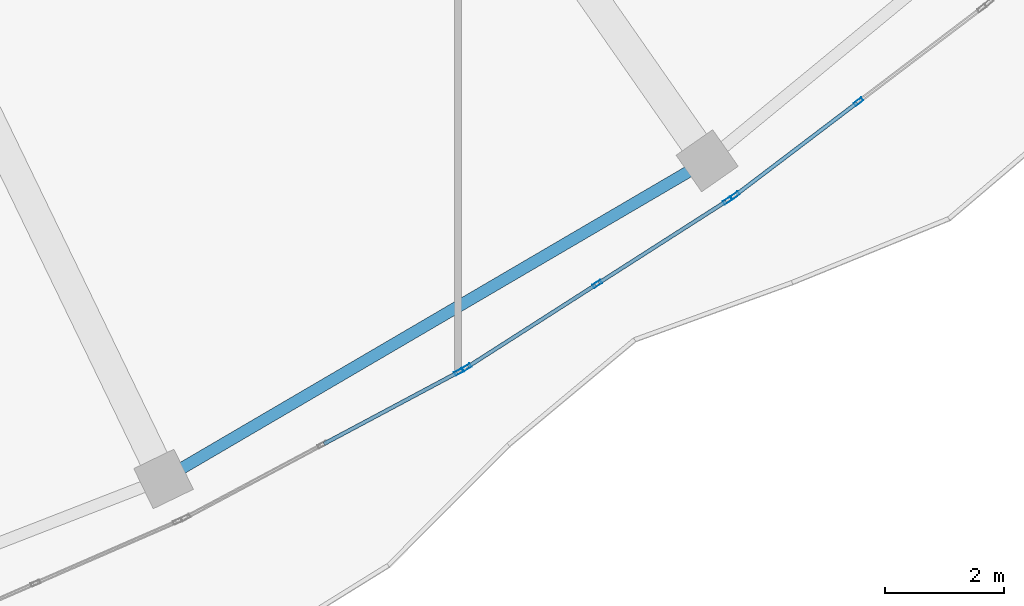
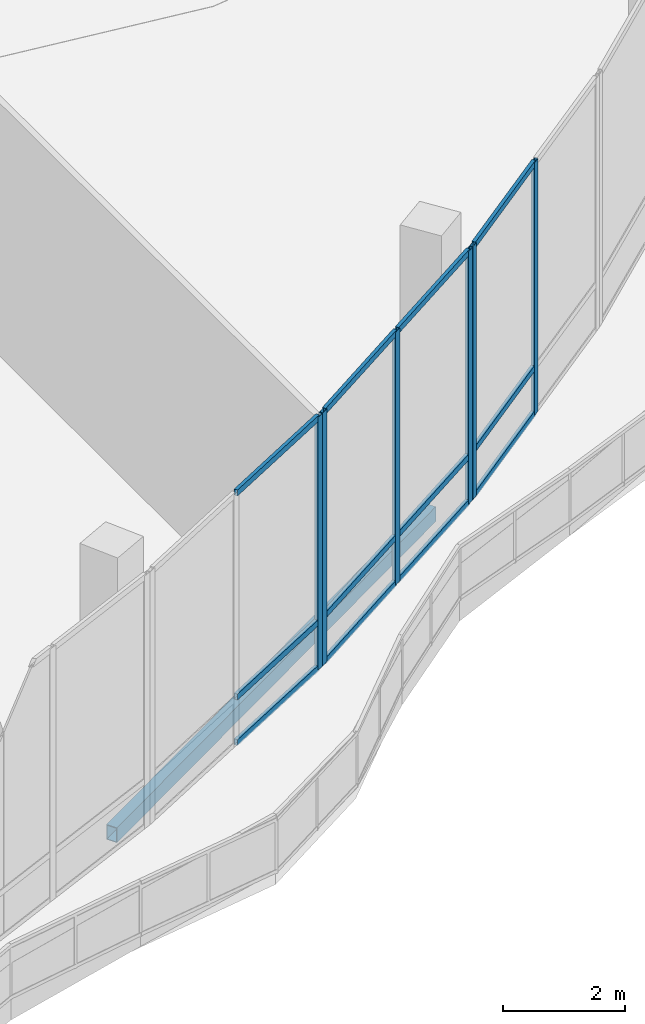
# One storey, part 46 of 158: 18 members, 1 beam, 3 elements without a shape of their own.
"""IFC4 building model written with IfcOpenShell, lengths in metres."""

from ifc_helpers import new_model, si_unit, direction, frame, origin, origin_2d, place, context, subcontext, project, spatial, hollow_rectangle, extrude, material, material_profile, profile_set, type_object, element, aggregate, save


model = new_model("IFC4")

# Units and contexts
model_context = context("Model", 3, precision=1e-05, world=origin(), true_north=direction((0.0, 1.0)))
body_context = subcontext(model_context, "Body", "Model", "MODEL_VIEW")
ifc_project = project(units=[si_unit("LENGTHUNIT", "METRE"), si_unit("AREAUNIT", "SQUARE_METRE"), si_unit("VOLUMEUNIT", "CUBIC_METRE"), si_unit("PLANEANGLEUNIT", "RADIAN"), si_unit("MASSUNIT", "GRAM", prefix="KILO")], contexts=[model_context])

# Site, building, storey
site_placement = place(None, origin())
site = spatial("IfcSite", under=ifc_project, at=site_placement, CompositionType="ELEMENT")
building_placement = place(site_placement, origin())
building = spatial("IfcBuilding", under=site, at=building_placement, Name="Selatvlak General Hospital", CompositionType="ELEMENT")
storey_placement = place(building_placement, origin())
storey = spatial("IfcBuildingStorey", under=building, at=storey_placement, Name="L00", CompositionType="ELEMENT", Elevation=0.0)

# Beam
ifc_material_1 = material(Name="Steel S355", Category="steel")
ifc_material_profile_1 = material_profile(ifc_material_1, hollow_rectangle(XDim=0.199951171875, YDim=0.300048828125, WallThickness=0.011962890625, at=origin_2d()), Name="RHS 300x200x12")
ifc_profile_set_1 = profile_set([ifc_material_profile_1], Name="Steel S355")
beam_type = type_object("IfcBeamType", Name="BM-SP3", PredefinedType="SPANDREL", material=ifc_profile_set_1)
beam_placement = place(storey_placement, frame((85.0439453125, 19.39990234375, -0.5), z_axis=(0.862997086305, 0.505208896427, 0.0), x_axis=(-0.505208896427, 0.862997086305, 0.0)))
element("IfcBeam", 1, at=beam_placement, inside=storey, type_object=beam_type, Name="Beam BMR-L00-0374", PredefinedType="SPANDREL", context=body_context, shape_type="SweptSolid", body=[
    extrude(hollow_rectangle(XDim=0.199951171875, YDim=0.300048828125, WallThickness=0.011962890625, at=origin_2d()), origin(), (0.0, 0.0, 1.0), 10.60400390625),
])

# Curtain wall, members
ifc_material_2 = material(Name="Solar-control Low-E double glazing", Category="glass")
curtain_wall_type_1 = type_object("IfcCurtainWallType", Name="CW-CW-02", PredefinedType="USERDEFINED", material=ifc_material_2)
curtain_wall_1_placement = place(storey_placement, origin())
curtain_wall_1 = element("IfcCurtainWall", 2, at=curtain_wall_1_placement, inside=storey, type_object=curtain_wall_type_1, Name="Glazed facade curtain wall CW-L00-0046", ObjectType="UNITISED CURTAIN WALL", PredefinedType="USERDEFINED")
ifc_material_3 = material(Name="Dark anodised aluminium mullion", Category="aluminium")
ifc_material_profile_2 = material_profile(ifc_material_3, hollow_rectangle(XDim=0.06494140625, YDim=0.159912109375, WallThickness=0.00390625, at=origin_2d()), Name="AL-MUL 65x160x4")
ifc_profile_set_2 = profile_set([ifc_material_profile_2], Name="Dark anodised aluminium mullion")
member_type_1 = type_object("IfcMemberType", Name="CWM-01", PredefinedType="MULLION", material=ifc_profile_set_2)
member_1_placement = place(storey_placement, frame((96.742919921875, 25.75048828125, 0.0), z_axis=(0.0, 0.0, 1.0), x_axis=(0.60458927489, -0.796537386874, 0.0)))
member_1 = element("IfcMember", 3, at=member_1_placement, type_object=member_type_1, Name="CW-02 mullion 2", PredefinedType="MULLION", context=body_context, shape_type="SweptSolid", body=[
    extrude(hollow_rectangle(XDim=0.06494140625, YDim=0.159912109375, WallThickness=0.00390625, at=origin_2d()), origin(), (0.0, 0.0, 1.0), 5.080078125),
])
member_2_placement = place(storey_placement, frame((94.662841796875, 24.171630859375, 0.0), z_axis=(0.0, 0.0, 1.0), x_axis=(0.60458927489, -0.796537386874, 0.0)))
member_2 = element("IfcMember", 4, at=member_2_placement, type_object=member_type_1, Name="CW-02 mullion 3", PredefinedType="MULLION", context=body_context, shape_type="SweptSolid", body=[
    extrude(hollow_rectangle(XDim=0.06494140625, YDim=0.159912109375, WallThickness=0.00390625, at=origin_2d()), origin(), (0.0, 0.0, 1.0), 5.080078125),
])

curtain_wall_type_2 = type_object("IfcCurtainWallType", Name="CW-CW-01", PredefinedType="USERDEFINED", material=ifc_material_2)
curtain_wall_2_placement = place(storey_placement, origin())
curtain_wall_2 = element("IfcCurtainWall", 5, at=curtain_wall_2_placement, inside=storey, type_object=curtain_wall_type_2, Name="Glazed facade curtain wall CW-L00-0047", ObjectType="UNITISED CURTAIN WALL", PredefinedType="USERDEFINED")
member_3_placement = place(storey_placement, frame((94.542724609375, 24.090576171875, 0.0), z_axis=(0.0, 0.0, 1.0), x_axis=(0.539064431086, -0.842264530381, 0.0)))
member_3 = element("IfcMember", 6, at=member_3_placement, type_object=member_type_1, Name="CW-01 mullion 1", PredefinedType="MULLION", context=body_context, shape_type="SweptSolid", body=[
    extrude(hollow_rectangle(XDim=0.06494140625, YDim=0.159912109375, WallThickness=0.00390625, at=origin_2d()), origin(), (0.0, 0.0, 1.0), 5.080078125),
])
member_4_placement = place(storey_placement, frame((92.343505859375, 22.68310546875, 0.0), z_axis=(0.0, 0.0, 1.0), x_axis=(0.539064431086, -0.842264530381, 0.0)))
member_4 = element("IfcMember", 7, at=member_4_placement, type_object=member_type_1, Name="CW-01 mullion 2", PredefinedType="MULLION", context=body_context, shape_type="SweptSolid", body=[
    extrude(hollow_rectangle(XDim=0.06494140625, YDim=0.159912109375, WallThickness=0.00390625, at=origin_2d()), origin(), (0.0, 0.0, 1.0), 5.080078125),
])
member_5_placement = place(storey_placement, frame((90.144287109375, 21.275634765625, 0.0), z_axis=(0.0, 0.0, 1.0), x_axis=(0.539064431086, -0.842264530381, 0.0)))
member_5 = element("IfcMember", 8, at=member_5_placement, type_object=member_type_1, Name="CW-01 mullion 3", PredefinedType="MULLION", context=body_context, shape_type="SweptSolid", body=[
    extrude(hollow_rectangle(XDim=0.06494140625, YDim=0.159912109375, WallThickness=0.00390625, at=origin_2d()), origin(), (0.0, 0.0, 1.0), 5.080078125),
])

# Curtain wall, member
curtain_wall_3_placement = place(storey_placement, origin())
curtain_wall_3 = element("IfcCurtainWall", 9, at=curtain_wall_3_placement, inside=storey, type_object=curtain_wall_type_1, Name="Glazed facade curtain wall CW-L00-0048", ObjectType="UNITISED CURTAIN WALL", PredefinedType="USERDEFINED")
member_6_placement = place(storey_placement, frame((90.018310546875, 21.20361328125, 0.0), z_axis=(0.0, 0.0, 1.0), x_axis=(0.470450719515, -0.882426269162, 0.0)))
member_6 = element("IfcMember", 10, at=member_6_placement, type_object=member_type_1, Name="CW-02 mullion 1", PredefinedType="MULLION", context=body_context, shape_type="SweptSolid", body=[
    extrude(hollow_rectangle(XDim=0.06494140625, YDim=0.159912109375, WallThickness=0.00390625, at=origin_2d()), origin(), (0.0, 0.0, 1.0), 5.080078125),
])

# Member
ifc_material_profile_3 = material_profile(ifc_material_3, hollow_rectangle(XDim=0.06494140625, YDim=0.1201171875, WallThickness=0.00390625, at=origin_2d()), Name="AL-TRN 65x120x4")
ifc_profile_set_3 = profile_set([ifc_material_profile_3], Name="Dark anodised aluminium mullion")
member_type_2 = type_object("IfcMemberType", Name="CWT-01", PredefinedType="USERDEFINED", material=ifc_profile_set_3)
member_7_placement = place(storey_placement, frame((96.717041015625, 25.73095703125, 0.032470703125), z_axis=(-0.796535238332, -0.604592105552, 0.0), x_axis=(0.604592105552, -0.796535238332, 0.0)))
member_7 = element("IfcMember", 11, at=member_7_placement, type_object=member_type_2, Name="CW-02 transom 2.1", ObjectType="TRANSOM", PredefinedType="USERDEFINED", context=body_context, shape_type="SweptSolid", body=[
    extrude(hollow_rectangle(XDim=0.06494140625, YDim=0.1201171875, WallThickness=0.00390625, at=origin_2d()), origin(), (0.0, 0.0, 1.0), 2.54638671875),
])

member_8_placement = place(storey_placement, frame((96.717041015625, 25.73095703125, 0.949951171875), z_axis=(-0.796535238332, -0.604592105552, 0.0), x_axis=(0.604592105552, -0.796535238332, 0.0)))
member_8 = element("IfcMember", 12, at=member_8_placement, type_object=member_type_2, Name="CW-02 transom 2.2", ObjectType="TRANSOM", PredefinedType="USERDEFINED", context=body_context, shape_type="SweptSolid", body=[
    extrude(hollow_rectangle(XDim=0.06494140625, YDim=0.1201171875, WallThickness=0.00390625, at=origin_2d()), origin(), (0.0, 0.0, 1.0), 2.54638671875),
])

member_9_placement = place(storey_placement, frame((96.717041015625, 25.73095703125, 5.047607421875), z_axis=(-0.796535238332, -0.604592105552, 0.0), x_axis=(0.604592105552, -0.796535238332, 0.0)))
member_9 = element("IfcMember", 13, at=member_9_placement, type_object=member_type_2, Name="CW-02 transom 2.3", ObjectType="TRANSOM", PredefinedType="USERDEFINED", context=body_context, shape_type="SweptSolid", body=[
    extrude(hollow_rectangle(XDim=0.06494140625, YDim=0.1201171875, WallThickness=0.00390625, at=origin_2d()), origin(), (0.0, 0.0, 1.0), 2.54638671875),
])

aggregate(curtain_wall_1, [member_1, member_2, member_7, member_8, member_9])

member_10_placement = place(storey_placement, frame((94.51513671875, 24.072998046875, 0.032470703125), z_axis=(-0.842233084651, -0.539113560504, 0.0), x_axis=(0.539113560504, -0.842233084651, 0.0)))
member_10 = element("IfcMember", 14, at=member_10_placement, type_object=member_type_2, Name="CW-01 transom 1.1", ObjectType="TRANSOM", PredefinedType="USERDEFINED", context=body_context, shape_type="SweptSolid", body=[
    extrude(hollow_rectangle(XDim=0.06494140625, YDim=0.1201171875, WallThickness=0.00390625, at=origin_2d()), origin(), (0.0, 0.0, 1.0), 2.5458984375),
])

member_11_placement = place(storey_placement, frame((94.51513671875, 24.072998046875, 0.949951171875), z_axis=(-0.842233084651, -0.539113560504, 0.0), x_axis=(0.539113560504, -0.842233084651, 0.0)))
member_11 = element("IfcMember", 15, at=member_11_placement, type_object=member_type_2, Name="CW-01 transom 1.2", ObjectType="TRANSOM", PredefinedType="USERDEFINED", context=body_context, shape_type="SweptSolid", body=[
    extrude(hollow_rectangle(XDim=0.06494140625, YDim=0.1201171875, WallThickness=0.00390625, at=origin_2d()), origin(), (0.0, 0.0, 1.0), 2.5458984375),
])

member_12_placement = place(storey_placement, frame((94.51513671875, 24.072998046875, 5.047607421875), z_axis=(-0.842233084651, -0.539113560504, 0.0), x_axis=(0.539113560504, -0.842233084651, 0.0)))
member_12 = element("IfcMember", 16, at=member_12_placement, type_object=member_type_2, Name="CW-01 transom 1.3", ObjectType="TRANSOM", PredefinedType="USERDEFINED", context=body_context, shape_type="SweptSolid", body=[
    extrude(hollow_rectangle(XDim=0.06494140625, YDim=0.1201171875, WallThickness=0.00390625, at=origin_2d()), origin(), (0.0, 0.0, 1.0), 2.5458984375),
])

member_13_placement = place(storey_placement, frame((92.316162109375, 22.66552734375, 0.032470703125), z_axis=(-0.842260952106, -0.539070021942, 0.0), x_axis=(0.539070021942, -0.842260952106, 0.0)))
member_13 = element("IfcMember", 17, at=member_13_placement, type_object=member_type_2, Name="CW-01 transom 2.1", ObjectType="TRANSOM", PredefinedType="USERDEFINED", context=body_context, shape_type="SweptSolid", body=[
    extrude(hollow_rectangle(XDim=0.06494140625, YDim=0.1201171875, WallThickness=0.00390625, at=origin_2d()), origin(), (0.0, 0.0, 1.0), 2.546142578125),
])

member_14_placement = place(storey_placement, frame((92.316162109375, 22.66552734375, 0.949951171875), z_axis=(-0.842260952106, -0.539070021942, 0.0), x_axis=(0.539070021942, -0.842260952106, 0.0)))
member_14 = element("IfcMember", 18, at=member_14_placement, type_object=member_type_2, Name="CW-01 transom 2.2", ObjectType="TRANSOM", PredefinedType="USERDEFINED", context=body_context, shape_type="SweptSolid", body=[
    extrude(hollow_rectangle(XDim=0.06494140625, YDim=0.1201171875, WallThickness=0.00390625, at=origin_2d()), origin(), (0.0, 0.0, 1.0), 2.546142578125),
])

member_15_placement = place(storey_placement, frame((92.316162109375, 22.66552734375, 5.047607421875), z_axis=(-0.842260952106, -0.539070021942, 0.0), x_axis=(0.539070021942, -0.842260952106, 0.0)))
member_15 = element("IfcMember", 19, at=member_15_placement, type_object=member_type_2, Name="CW-01 transom 2.3", ObjectType="TRANSOM", PredefinedType="USERDEFINED", context=body_context, shape_type="SweptSolid", body=[
    extrude(hollow_rectangle(XDim=0.06494140625, YDim=0.1201171875, WallThickness=0.00390625, at=origin_2d()), origin(), (0.0, 0.0, 1.0), 2.546142578125),
])

aggregate(curtain_wall_2, [member_3, member_4, member_5, member_10, member_11, member_12, member_13, member_14, member_15])

member_16_placement = place(storey_placement, frame((89.98974609375, 21.1884765625, 0.032470703125), z_axis=(-0.882416668919, -0.470468726286, 0.0), x_axis=(0.470468726286, -0.882416668919, 0.0)))
member_16 = element("IfcMember", 20, at=member_16_placement, type_object=member_type_2, Name="CW-02 transom 1.1", ObjectType="TRANSOM", PredefinedType="USERDEFINED", context=body_context, shape_type="SweptSolid", body=[
    extrude(hollow_rectangle(XDim=0.06494140625, YDim=0.1201171875, WallThickness=0.00390625, at=origin_2d()), origin(), (0.0, 0.0, 1.0), 2.544921875),
])

member_17_placement = place(storey_placement, frame((89.98974609375, 21.1884765625, 0.949951171875), z_axis=(-0.882416668919, -0.470468726286, 0.0), x_axis=(0.470468726286, -0.882416668919, 0.0)))
member_17 = element("IfcMember", 21, at=member_17_placement, type_object=member_type_2, Name="CW-02 transom 1.2", ObjectType="TRANSOM", PredefinedType="USERDEFINED", context=body_context, shape_type="SweptSolid", body=[
    extrude(hollow_rectangle(XDim=0.06494140625, YDim=0.1201171875, WallThickness=0.00390625, at=origin_2d()), origin(), (0.0, 0.0, 1.0), 2.544921875),
])

member_18_placement = place(storey_placement, frame((89.98974609375, 21.1884765625, 5.047607421875), z_axis=(-0.882416668919, -0.470468726286, 0.0), x_axis=(0.470468726286, -0.882416668919, 0.0)))
member_18 = element("IfcMember", 22, at=member_18_placement, type_object=member_type_2, Name="CW-02 transom 1.3", ObjectType="TRANSOM", PredefinedType="USERDEFINED", context=body_context, shape_type="SweptSolid", body=[
    extrude(hollow_rectangle(XDim=0.06494140625, YDim=0.1201171875, WallThickness=0.00390625, at=origin_2d()), origin(), (0.0, 0.0, 1.0), 2.544921875),
])

aggregate(curtain_wall_3, [member_6, member_16, member_17, member_18])

save(model, "model.ifc")
